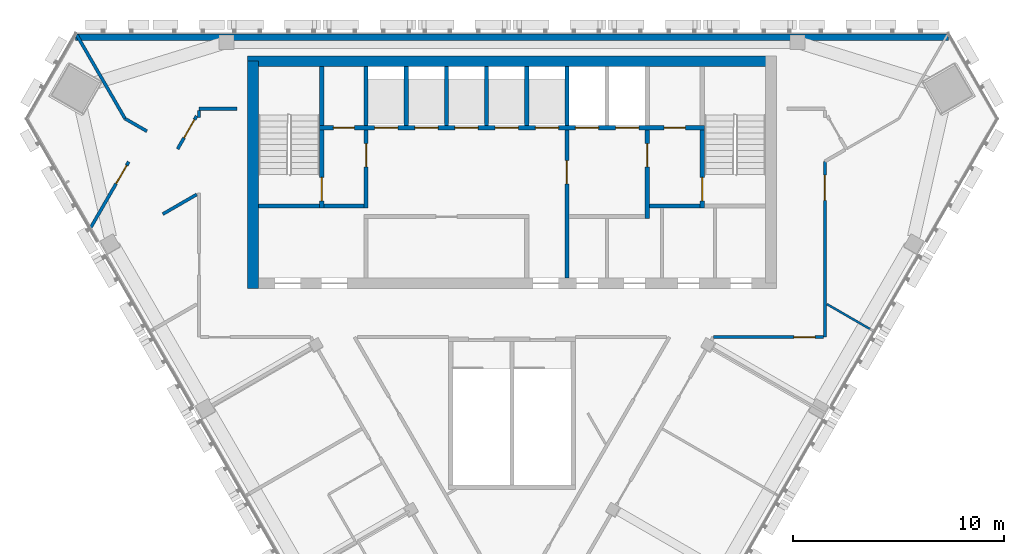
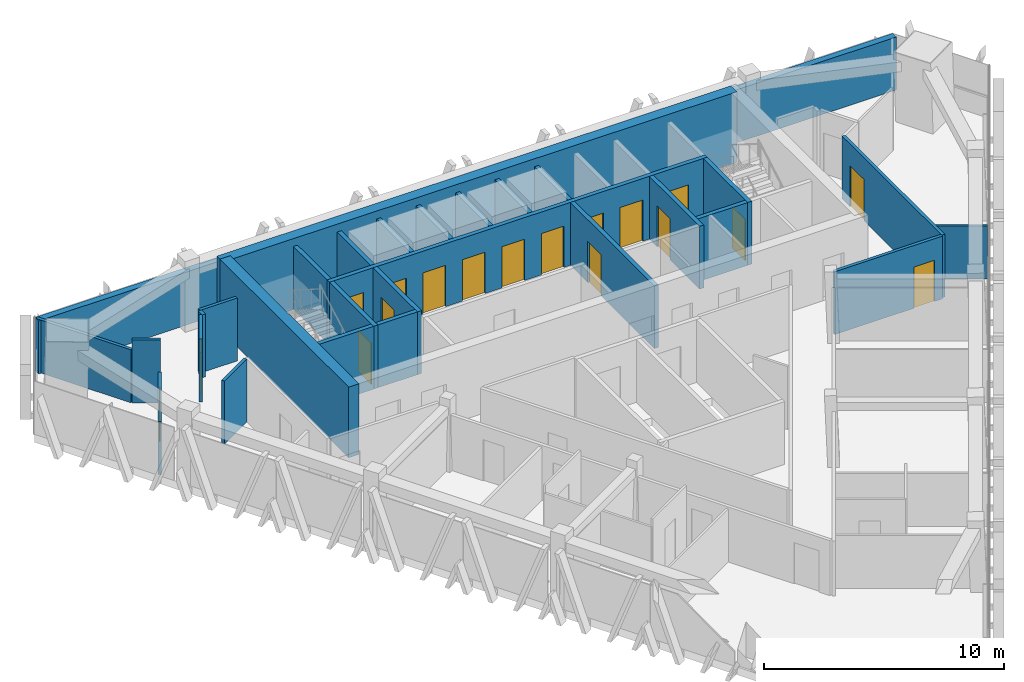
# One storey, part 9 of 12: 29 walls, 18 doors, 18 openings.
"""IFC4 building model written with IfcOpenShell, lengths in metres."""

import ifcopenshell
import ifcopenshell.guid

model = None  # the IFC model being written
_history = None  # IfcOwnerHistory: only IFC2X3 demands one
_inside = {}  # id of a spatial element -> (the spatial element, [elements in it])
_under = {}  # id of a project, library or spatial element -> (it, [spatial elements below it])
_declared = {}  # id of a project -> (the project, [libraries it declares])
_typed = {}  # id of a type object -> (the type object, [elements of that type])
_made_of = {}  # id of a material, layer set ... -> (it, [elements and type objects made of it])


def new_model(schema):
    """Start an empty IFC model of exactly this schema.

    Asked for "IFC4X3", IfcOpenShell would pick the latest addendum, in which some entities
    have other attributes; the version numbers below select the first issue.
    IFC2X3 requires an IfcOwnerHistory on every rooted entity: one is made here for all.
    """
    global model, _history
    if schema == "IFC4X3":
        model = ifcopenshell.file(schema_version=(4, 3, 0, 0))
    else:
        model = ifcopenshell.file(schema=schema)
    _inside.clear()
    _under.clear()
    _declared.clear()
    _typed.clear()
    _made_of.clear()
    _history = None
    if model.schema == "IFC2X3":
        org = make("IfcOrganization", Name="unknown")
        user = make(
            "IfcPersonAndOrganization",
            ThePerson=make("IfcPerson", FamilyName="unknown"),
            TheOrganization=org,
        )
        app = make(
            "IfcApplication",
            ApplicationDeveloper=org,
            Version="unknown",
            ApplicationFullName="unknown",
            ApplicationIdentifier="unknown",
        )
        _history = make(
            "IfcOwnerHistory",
            OwningUser=user,
            OwningApplication=app,
            ChangeAction="ADDED",
            CreationDate=0,
        )
    return model


def make(cls, **values):
    """One entity of the class cls with the attributes given. An attribute that is None is left unset."""
    return model.create_entity(
        cls, **{name: value for name, value in values.items() if value is not None}
    )


def rooted(cls, **values):
    """An entity with a GlobalId (a new one), such as an element, a storey or a relation."""
    return make(cls, GlobalId=ifcopenshell.guid.new(), OwnerHistory=_history, **values)


def si_unit(unit_type, name, prefix=None):
    """IfcSIUnit, for example si_unit("LENGTHUNIT", "METRE", prefix="MILLI")."""
    return make("IfcSIUnit", UnitType=unit_type, Prefix=prefix, Name=name)


def assignment(units):
    """IfcUnitAssignment: the units of a project."""
    return None if units is None else make("IfcUnitAssignment", Units=units)


def point(xyz):
    """IfcCartesianPoint."""
    return None if xyz is None else make("IfcCartesianPoint", Coordinates=xyz)


def direction(xyz):
    """IfcDirection."""
    return None if xyz is None else make("IfcDirection", DirectionRatios=xyz)


def frame(location, z_axis=None, x_axis=None):
    """IfcAxis2Placement3D, a coordinate frame: its origin and axes. An axis left out is left unset."""
    return make(
        "IfcAxis2Placement3D",
        Location=point(location),
        Axis=direction(z_axis),
        RefDirection=direction(x_axis),
    )


def frame_2d(location, x_axis=None):
    """IfcAxis2Placement2D, a coordinate frame in the plane: its origin and x axis."""
    return make(
        "IfcAxis2Placement2D", Location=point(location), RefDirection=direction(x_axis)
    )


def origin():
    """The frame at (0, 0, 0) with its axes left unset."""
    return frame((0.0, 0.0, 0.0))


def place(relative_to, where):
    """IfcLocalPlacement: puts the frame where relative to a parent placement (None: the world)."""
    return make(
        "IfcLocalPlacement", PlacementRelTo=relative_to, RelativePlacement=where
    )


def context(
    kind, dimensions, precision=None, world=None, true_north=None, identifier=None
):
    """IfcGeometricRepresentationContext, for example the 3D "Model" context."""
    return make(
        "IfcGeometricRepresentationContext",
        ContextIdentifier=identifier,
        ContextType=kind,
        CoordinateSpaceDimension=dimensions,
        Precision=precision,
        WorldCoordinateSystem=world,
        TrueNorth=true_north,
    )


def subcontext(parent, identifier, kind, view, scale=None):
    """IfcGeometricRepresentationSubContext, for example "Body" below "Model"."""
    return make(
        "IfcGeometricRepresentationSubContext",
        ContextIdentifier=identifier,
        ContextType=kind,
        ParentContext=parent,
        TargetScale=scale,
        TargetView=view,
    )


def project(units=None, contexts=None):
    """IfcProject with its units and contexts."""
    return rooted(
        "IfcProject",
        Name="project",
        RepresentationContexts=contexts,
        UnitsInContext=assignment(units),
    )


def spatial(cls, under=None, at=None, **own):
    """A site, building, storey or space (cls), placed at a placement, below another one or the project."""
    s = rooted(cls, ObjectPlacement=at, **own)
    if under is not None:
        _under.setdefault(under.id(), (under, []))[1].append(s)
    return s


def profile(cls, at=None, kind="AREA", **sizes):
    """A parametric profile (cls). Its sizes go by their IFC names, for example OverallWidth=200.0."""
    return make(cls, ProfileType=kind, Position=at, **sizes)


def rectangle(**sizes):
    """IfcRectangleProfileDef."""
    return profile("IfcRectangleProfileDef", **sizes)


def extrude(swept, where, along, depth):
    """IfcExtrudedAreaSolid: the profile swept, set in the frame where, extruded along a direction by depth."""
    return make(
        "IfcExtrudedAreaSolid",
        SweptArea=swept,
        Position=where,
        ExtrudedDirection=direction(along),
        Depth=depth,
    )


def shape(context_of_items, identifier, shape_type, items):
    """IfcShapeRepresentation: the items that make up one representation, for example the "Body"."""
    return make(
        "IfcShapeRepresentation",
        ContextOfItems=context_of_items,
        RepresentationIdentifier=identifier,
        RepresentationType=shape_type,
        Items=items,
    )


def material(Name=None, Category=None):
    """IfcMaterial."""
    return make("IfcMaterial", Name=Name, Category=Category)


def layer(
    of_material, thickness, ventilated=None, Name=None, Category=None, Priority=None
):
    """IfcMaterialLayer: one layer of a wall or slab, of a material (None: an air gap)."""
    return make(
        "IfcMaterialLayer",
        Material=of_material,
        LayerThickness=thickness,
        IsVentilated=ventilated,
        Name=Name,
        Category=Category,
        Priority=Priority,
    )


def layer_set(layers, Name=None):
    """IfcMaterialLayerSet."""
    return make("IfcMaterialLayerSet", MaterialLayers=layers, LayerSetName=Name)


def made_of(thing, what):
    """Note that an element or type object is made of a material, layer set ...; save() writes the relation."""
    if what is not None:
        _made_of.setdefault(what.id(), (what, []))[1].append(thing)
    return thing


def type_object(cls, material=None, **own):
    """A type object (cls), such as IfcWallType, which elements share."""
    return made_of(rooted(cls, **own), material)


def element(
    cls,
    number,
    at=None,
    inside=None,
    cuts=None,
    type_object=None,
    material=None,
    context=None,
    identifier="Body",
    shape_type=None,
    held_by="IfcProductDefinitionShape",
    body=None,
    shapes=None,
    **own,
):
    """One element of the class cls, such as IfcWall. Its Tag is "e" and its number.

    at: its placement. inside: the storey or other place that contains it. cuts: it is an
    opening in that element (IfcRelVoidsElement). A single representation is given by context,
    identifier, shape_type and body (its items); several are given by shapes. held_by: the class
    of the entity that holds the representations. save() writes the other relations.
    """
    e = rooted(cls, Tag="e%d" % number, ObjectPlacement=at, **own)
    if body is not None:
        shapes = [shape(context, identifier, shape_type, body)]
    if shapes is not None:
        e.Representation = make(held_by, Representations=shapes)
    if inside is not None:
        _inside.setdefault(inside.id(), (inside, []))[1].append(e)
    if cuts is not None:
        rooted(
            "IfcRelVoidsElement", RelatingBuildingElement=cuts, RelatedOpeningElement=e
        )
    if type_object is not None:
        _typed.setdefault(type_object.id(), (type_object, []))[1].append(e)
    return made_of(e, material)


def fill(opening, filler):
    """IfcRelFillsElement: the door or window that sits in an opening."""
    return rooted(
        "IfcRelFillsElement",
        RelatingOpeningElement=opening,
        RelatedBuildingElement=filler,
    )


def aggregate(whole, parts):
    """IfcRelAggregates: a whole, such as a stair, and the parts it consists of."""
    return rooted("IfcRelAggregates", RelatingObject=whole, RelatedObjects=parts)


def save(model, path):
    """Write the relations noted so far, then the file.

    IfcRelAggregates (storeys below a building ...), IfcRelContainedInSpatialStructure (elements
    in a storey), IfcRelDefinesByType, IfcRelAssociatesMaterial and IfcRelDeclares: one each for
    every whole, place, type object, material and project.
    """
    for whole, parts in _under.values():
        aggregate(whole, parts)
    for where, things in _inside.values():
        rooted(
            "IfcRelContainedInSpatialStructure",
            RelatedElements=things,
            RelatingStructure=where,
        )
    for kind, things in _typed.values():
        rooted("IfcRelDefinesByType", RelatedObjects=things, RelatingType=kind)
    for what, things in _made_of.values():
        rooted("IfcRelAssociatesMaterial", RelatedObjects=things, RelatingMaterial=what)
    for by, libraries in _declared.values():
        rooted("IfcRelDeclares", RelatingContext=by, RelatedDefinitions=libraries)
    model.write(path)


model = new_model("IFC4")

# Units and contexts
model_context = context("Model", 3, precision=1e-05, world=origin(), true_north=direction((0.0, 1.0)))
body_context = subcontext(model_context, "Body", "Model", "MODEL_VIEW")
ifc_project = project(units=[si_unit("LENGTHUNIT", "METRE"), si_unit("AREAUNIT", "SQUARE_METRE"), si_unit("VOLUMEUNIT", "CUBIC_METRE"), si_unit("PLANEANGLEUNIT", "RADIAN"), si_unit("MASSUNIT", "GRAM", prefix="KILO")], contexts=[model_context])

# Site, building, storey
site_placement = place(None, origin())
site = spatial("IfcSite", under=ifc_project, at=site_placement, CompositionType="ELEMENT")
building_placement = place(site_placement, origin())
building = spatial("IfcBuilding", under=site, at=building_placement, Name="Altiplano Prism Tower", CompositionType="ELEMENT")
storey_placement = place(building_placement, frame((0.0, 0.0, 275.199951171875)))
storey = spatial("IfcBuildingStorey", under=building, at=storey_placement, Name="L71", CompositionType="ELEMENT", Elevation=275.199951171875)

# Walls
ifc_material_1 = material(Name="Concrete C60/75", Category="concrete")
ifc_layer_1 = layer(ifc_material_1, 0.5)
ifc_layer_set_1 = layer_set([ifc_layer_1], Name="Concrete C60/75")
wall_type_1 = type_object("IfcWallType", Name="Core wall 500", PredefinedType="SHEAR", material=ifc_layer_set_1)
wall_1_placement = place(storey_placement, frame((97.25, 103.64990234375, 0.0), z_axis=(0.0, 0.0, 1.0), x_axis=(-1.0, 0.0, 0.0)))
element("IfcWall", 1, at=wall_1_placement, inside=storey, type_object=wall_type_1, Name="Core wall N L71", PredefinedType="SHEAR", context=body_context, shape_type="SweptSolid", body=[
    extrude(rectangle(XDim=24.75, YDim=0.5, at=frame_2d((12.375, 0.0))), origin(), (0.0, 0.0, 1.0), 3.60009765625),
])
wall_2_placement = place(storey_placement, frame((72.75, 103.64990234375, 0.0), z_axis=(0.0, 0.0, 1.0), x_axis=(0.0, -1.0, 0.0)))
element("IfcWall", 2, at=wall_2_placement, inside=storey, type_object=wall_type_1, Name="Core wall W L71", PredefinedType="SHEAR", context=body_context, shape_type="SweptSolid", body=[
    extrude(rectangle(XDim=10.75, YDim=0.5, at=frame_2d((5.375, 0.0))), origin(), (0.0, 0.0, 1.0), 3.60009765625),
])
ifc_material_2 = material(Name="Plasterboard on steel stud", Category="steel")
ifc_layer_2 = layer(ifc_material_2, 0.10009765625)
ifc_layer_set_2 = layer_set([ifc_layer_2], Name="Plasterboard on steel stud")
wall_type_2 = type_object("IfcWallType", Name="Partition 100 wet", PredefinedType="PARTITIONING", material=ifc_layer_set_2)
wall_3_placement = place(storey_placement, frame((102.1025390625, 90.88623046875, 0.0), z_axis=(0.0, 0.0, 1.0), x_axis=(-0.866060904967, 0.499938505106, 0.0)))
element("IfcWall", 3, at=wall_3_placement, inside=storey, type_object=wall_type_2, Name="Partition P03 L71 040", PredefinedType="PARTITIONING", context=body_context, shape_type="SweptSolid", body=[
    extrude(rectangle(XDim=2.543212890625, YDim=0.10009765625, at=frame_2d((1.271484375, 0.0))), origin(), (0.0, 0.0, 1.0), 2.699951171875),
])

# Wall, opening, door
ifc_layer_3 = layer(ifc_material_2, 0.14990234375)
ifc_layer_set_3 = layer_set([ifc_layer_3], Name="Plasterboard on steel stud")
wall_type_3 = type_object("IfcWallType", Name="Partition 150 corridor", PredefinedType="PARTITIONING", material=ifc_layer_set_3)
wall_4_placement = place(storey_placement, frame((66.87060546875, 98.89501953125, 0.0), z_axis=(0.0, 0.0, 1.0), x_axis=(-0.499994217234, -0.86602874244, 0.0)))
wall_4 = element("IfcWall", 4, at=wall_4_placement, inside=storey, type_object=wall_type_3, Name="Partition P06 L71 005", PredefinedType="PARTITIONING", context=body_context, shape_type="SweptSolid", body=[
    extrude(rectangle(XDim=3.60302734375, YDim=0.14990234375, at=frame_2d((1.801513671875, 0.0))), origin(), (0.0, 0.0, 1.0), 2.699951171875),
])
opening_1_placement = place(wall_4_placement, frame((0.199951171875, 0.0, 0.0)))
opening_1 = element("IfcOpeningElement", 5, at=opening_1_placement, cuts=wall_4, Name="Opening D2230", PredefinedType="OPENING", context=body_context, shape_type="SweptSolid", body=[
    extrude(rectangle(XDim=1.0, YDim=2.10009765625, at=frame_2d((0.5, 1.050048828125))), frame((0.0, 0.08544921875, 0.0), z_axis=(0.0, -1.0, 0.0), x_axis=(1.0, 0.0, 0.0)), (0.0, 0.0, 1.0), 0.1708984375),
])
ifc_material_3 = material(Name="Timber", Category="wood")
door_type_1 = type_object("IfcDoorType", Name="Room door 1000 x 2100", OperationType="NOTDEFINED", PredefinedType="NOTDEFINED", material=ifc_material_3)
door_1_placement = place(opening_1_placement, origin())
door_1 = element("IfcDoor", 6, at=door_1_placement, inside=storey, type_object=door_type_1, Name="Door D2230", OperationType="SINGLE_SWING_RIGHT", OverallHeight=2.10009765625, OverallWidth=1.0, PredefinedType="NOTDEFINED", context=body_context, shape_type="SweptSolid", body=[
    extrude(rectangle(XDim=1.0, YDim=2.10009765625, at=frame_2d((0.5, 1.050048828125))), frame((0.0, 0.02490234375, 0.0), z_axis=(0.0, -1.0, 0.0), x_axis=(1.0, 0.0, 0.0)), (0.0, 0.0, 1.0), 0.050048828125),
])
fill(opening_1, door_1)

# Wall
wall_5_placement = place(storey_placement, frame((68.482666015625, 96.420166015625, 0.0), z_axis=(0.0, 0.0, 1.0), x_axis=(0.866021029023, 0.500007577232, 0.0)))
element("IfcWall", 7, at=wall_5_placement, inside=storey, type_object=wall_type_3, Name="Partition P06 L71 006", PredefinedType="PARTITIONING", context=body_context, shape_type="SweptSolid", body=[
    extrude(rectangle(XDim=1.85302734375, YDim=0.14990234375, at=frame_2d((0.926513671875, 0.0))), origin(), (0.0, 0.0, 1.0), 3.199951171875),
])

# Wall, opening, door
wall_6_placement = place(storey_placement, frame((94.52392578125, 90.60009765625, 0.0), z_axis=(0.0, 0.0, 1.0), x_axis=(1.0, 0.0, 0.0)))
wall_6 = element("IfcWall", 8, at=wall_6_placement, inside=storey, type_object=wall_type_3, Name="Partition P06 L71 011", PredefinedType="PARTITIONING", context=body_context, shape_type="SweptSolid", body=[
    extrude(rectangle(XDim=5.201171875, YDim=0.14990234375, at=frame_2d((2.6005859375, 0.0))), origin(), (0.0, 0.0, 1.0), 3.199951171875),
])
opening_2_placement = place(wall_6_placement, frame((3.81201171875, 0.0, 0.0)))
opening_2 = element("IfcOpeningElement", 9, at=opening_2_placement, cuts=wall_6, Name="Opening D2243", PredefinedType="OPENING", context=body_context, shape_type="SweptSolid", body=[
    extrude(rectangle(XDim=1.0, YDim=2.10009765625, at=frame_2d((0.5, 1.050048828125))), frame((0.0, 0.08544921875, 0.0), z_axis=(0.0, -1.0, 0.0), x_axis=(1.0, 0.0, 0.0)), (0.0, 0.0, 1.0), 0.1708984375),
])
door_2_placement = place(opening_2_placement, origin())
door_2 = element("IfcDoor", 10, at=door_2_placement, inside=storey, type_object=door_type_1, Name="Door D2243", OperationType="SINGLE_SWING_LEFT", OverallHeight=2.10009765625, OverallWidth=1.0, PredefinedType="NOTDEFINED", context=body_context, shape_type="SweptSolid", body=[
    extrude(rectangle(XDim=1.0, YDim=2.10009765625, at=frame_2d((0.5, 1.050048828125))), frame((0.0, 0.02490234375, 0.0), z_axis=(0.0, -1.0, 0.0), x_axis=(1.0, 0.0, 0.0)), (0.0, 0.0, 1.0), 0.050048828125),
])
fill(opening_2, door_2)

wall_7_placement = place(storey_placement, frame((99.800048828125, 90.60009765625, 0.0), z_axis=(0.0, 0.0, 1.0), x_axis=(0.0, 1.0, 0.0)))
wall_7 = element("IfcWall", 11, at=wall_7_placement, inside=storey, type_object=wall_type_3, Name="Partition P06 L71 012", PredefinedType="PARTITIONING", context=body_context, shape_type="SweptSolid", body=[
    extrude(rectangle(XDim=8.312744140625, YDim=0.14990234375, at=frame_2d((4.15625, 0.0))), origin(), (0.0, 0.0, 1.0), 3.199951171875),
])
opening_3_placement = place(wall_7_placement, frame((6.466064453125, 0.0, 0.0)))
opening_3 = element("IfcOpeningElement", 12, at=opening_3_placement, cuts=wall_7, Name="Opening D2244", PredefinedType="OPENING", context=body_context, shape_type="SweptSolid", body=[
    extrude(rectangle(XDim=1.199951171875, YDim=2.10009765625, at=frame_2d((0.60009765625, 1.050048828125))), frame((0.0, 0.08544921875, 0.0), z_axis=(0.0, -1.0, 0.0), x_axis=(1.0, 0.0, 0.0)), (0.0, 0.0, 1.0), 0.1708984375),
])
door_type_2 = type_object("IfcDoorType", Name="Shared room door 1200 x 2100", OperationType="NOTDEFINED", PredefinedType="NOTDEFINED", material=ifc_material_3)
door_3_placement = place(opening_3_placement, origin())
door_3 = element("IfcDoor", 13, at=door_3_placement, inside=storey, type_object=door_type_2, Name="Door D2244", OperationType="SINGLE_SWING_RIGHT", OverallHeight=2.10009765625, OverallWidth=1.199951171875, PredefinedType="NOTDEFINED", context=body_context, shape_type="SweptSolid", body=[
    extrude(rectangle(XDim=1.199951171875, YDim=2.10009765625, at=frame_2d((0.60009765625, 1.050048828125))), frame((0.0, 0.02490234375, 0.0), z_axis=(0.0, -1.0, 0.0), x_axis=(1.0, 0.0, 0.0)), (0.0, 0.0, 1.0), 0.050048828125),
])
fill(opening_3, door_3)

# Walls
wall_8_placement = place(storey_placement, frame((72.0, 101.39990234375, 0.0), z_axis=(0.0, 0.0, 1.0), x_axis=(-1.0, 0.0, 0.0)))
element("IfcWall", 14, at=wall_8_placement, inside=storey, type_object=wall_type_3, Name="Partition P06 L71 014", PredefinedType="PARTITIONING", context=body_context, shape_type="SweptSolid", body=[
    extrude(rectangle(XDim=1.800048828125, YDim=0.14990234375, at=frame_2d((0.89990234375, 0.0))), origin(), (0.0, 0.0, 1.0), 3.199951171875),
])
wall_9_placement = place(storey_placement, frame((70.19970703125, 101.324951171875, 0.0), z_axis=(0.0, 0.0, 1.0), x_axis=(-0.002205876986, -0.99999756705, 0.0)))
element("IfcWall", 15, at=wall_9_placement, inside=storey, type_object=wall_type_3, Name="Partition P06 L71 015", PredefinedType="PARTITIONING", context=body_context, shape_type="SweptSolid", body=[
    extrude(rectangle(XDim=0.33203125, YDim=0.14990234375, at=frame_2d((0.166015625, 0.0))), origin(), (0.0, 0.0, 1.0), 3.199951171875),
])

# Wall, opening, door
wall_10_placement = place(storey_placement, frame((70.08349609375, 101.059814453125, 0.0), z_axis=(0.0, 0.0, 1.0), x_axis=(-0.500031425827, -0.866007259314, 0.0)))
wall_10 = element("IfcWall", 16, at=wall_10_placement, inside=storey, type_object=wall_type_3, Name="Partition P06 L71 016", PredefinedType="PARTITIONING", context=body_context, shape_type="SweptSolid", body=[
    extrude(rectangle(XDim=1.80126953125, YDim=0.14990234375, at=frame_2d((0.900634765625, 0.0))), origin(), (0.0, 0.0, 1.0), 3.199951171875),
])
opening_4_placement = place(wall_10_placement, frame((0.199951171875, 0.0, 0.0)))
opening_4 = element("IfcOpeningElement", 17, at=opening_4_placement, cuts=wall_10, Name="Opening D2245", PredefinedType="OPENING", context=body_context, shape_type="SweptSolid", body=[
    extrude(rectangle(XDim=1.0, YDim=2.10009765625, at=frame_2d((0.5, 1.050048828125))), frame((0.0, 0.08544921875, 0.0), z_axis=(0.0, -1.0, 0.0), x_axis=(1.0, 0.0, 0.0)), (0.0, 0.0, 1.0), 0.1708984375),
])
door_type_3 = type_object("IfcDoorType", Name="Store door 1000 x 2100", OperationType="NOTDEFINED", PredefinedType="NOTDEFINED", material=ifc_material_3)
door_4_placement = place(opening_4_placement, origin())
door_4 = element("IfcDoor", 18, at=door_4_placement, inside=storey, type_object=door_type_3, Name="Door D2245", OperationType="SINGLE_SWING_RIGHT", OverallHeight=2.10009765625, OverallWidth=1.0, PredefinedType="NOTDEFINED", context=body_context, shape_type="SweptSolid", body=[
    extrude(rectangle(XDim=1.0, YDim=2.10009765625, at=frame_2d((0.5, 1.050048828125))), frame((0.0, 0.02490234375, 0.0), z_axis=(0.0, -1.0, 0.0), x_axis=(1.0, 0.0, 0.0)), (0.0, 0.0, 1.0), 0.050048828125),
])
fill(opening_4, door_4)

# Walls
ifc_layer_4 = layer(ifc_material_2, 0.14990234375)
ifc_layer_set_4 = layer_set([ifc_layer_4], Name="Plasterboard on steel stud")
wall_type_4 = type_object("IfcWallType", Name="Partition 150 party", PredefinedType="PARTITIONING", material=ifc_layer_set_4)
wall_11_placement = place(storey_placement, frame((67.72802734375, 100.340087890625, 0.0), z_axis=(0.0, 0.0, 1.0), x_axis=(-0.866052464367, 0.499953126767, 0.0)))
element("IfcWall", 19, at=wall_11_placement, inside=storey, type_object=wall_type_4, Name="Partition P01 L71 022", PredefinedType="PARTITIONING", context=body_context, shape_type="SweptSolid", body=[
    extrude(rectangle(XDim=1.19091796875, YDim=0.14990234375, at=frame_2d((0.595458984375, 0.0))), origin(), (0.0, 0.0, 1.0), 3.199951171875),
])
wall_12_placement = place(storey_placement, frame((66.696533203125, 100.935546875, 0.0), z_axis=(0.0, 0.0, 1.0), x_axis=(-0.499999453156, 0.866025719504, 0.0)))
element("IfcWall", 20, at=wall_12_placement, inside=storey, type_object=wall_type_4, Name="Partition P01 L71 023", PredefinedType="PARTITIONING", context=body_context, shape_type="SweptSolid", body=[
    extrude(rectangle(XDim=4.57763671875, YDim=0.14990234375, at=frame_2d((2.288818359375, 0.0))), origin(), (0.0, 0.0, 1.0), 2.699951171875),
])
ifc_layer_5 = layer(ifc_material_1, 0.199951171875)
ifc_layer_set_5 = layer_set([ifc_layer_5], Name="Concrete C60/75")
wall_type_5 = type_object("IfcWallType", Name="Shaft wall 200", PredefinedType="SOLIDWALL", material=ifc_layer_set_5)
for number, where, z_axis, x_axis, name in (
    (21, (78.10009765625, 100.60009765625, 0.0), (0.0, 0.0, 1.0), (0.0, 1.0, 0.0), "Shaft wall L71"),
    (22, (80.0, 100.60009765625, 0.0), (0.0, 0.0, 1.0), (0.0, 1.0, 0.0), "Shaft wall L71"),
    (23, (81.89990234375, 100.60009765625, 0.0), (0.0, 0.0, 1.0), (0.0, 1.0, 0.0), "Shaft wall L71"),
    (24, (83.800048828125, 100.60009765625, 0.0), (0.0, 0.0, 1.0), (0.0, 1.0, 0.0), "Shaft wall L71"),
    (25, (85.699951171875, 100.60009765625, 0.0), (0.0, 0.0, 1.0), (0.0, 1.0, 0.0), "Shaft wall L71"),
    (26, (87.60009765625, 100.60009765625, 0.0), (0.0, 0.0, 1.0), (0.0, 1.0, 0.0), "Shaft wall L71"),
):
    element("IfcWall", number, at=place(storey_placement, frame(where, z_axis=z_axis, x_axis=x_axis)), inside=storey, type_object=wall_type_5, Name=name, PredefinedType="SOLIDWALL", context=body_context, shape_type="SweptSolid", body=[
        extrude(rectangle(XDim=2.7998046875, YDim=0.199951171875, at=frame_2d((1.39990234375, 0.0))), origin(), (0.0, 0.0, 1.0), 3.199951171875),
    ])
ifc_layer_6 = layer(ifc_material_1, 0.199951171875)
ifc_layer_set_6 = layer_set([ifc_layer_6], Name="Concrete C60/75")
wall_type_6 = type_object("IfcWallType", Name="Stair wall 200", PredefinedType="SOLIDWALL", material=ifc_layer_set_6)
wall_13_placement = place(storey_placement, frame((73.0, 96.800048828125, 0.0), z_axis=(0.0, 0.0, 1.0), x_axis=(1.0, 0.0, 0.0)))
element("IfcWall", 27, at=wall_13_placement, inside=storey, type_object=wall_type_6, Name="Stair wall L71", PredefinedType="SOLIDWALL", context=body_context, shape_type="SweptSolid", body=[
    extrude(rectangle(XDim=2.89990234375, YDim=0.199951171875, at=frame_2d((1.449951171875, 0.0))), origin(), (0.0, 0.0, 1.0), 3.199951171875),
])

# Wall, opening, door
wall_14_placement = place(storey_placement, frame((76.0, 96.699951171875, 0.0), z_axis=(0.0, 0.0, 1.0), x_axis=(0.0, 1.0, 0.0)))
wall_14 = element("IfcWall", 28, at=wall_14_placement, inside=storey, type_object=wall_type_6, Name="Stair wall L71", PredefinedType="SOLIDWALL", context=body_context, shape_type="SweptSolid", body=[
    extrude(rectangle(XDim=3.699951171875, YDim=0.199951171875, at=frame_2d((1.85009765625, 0.0))), origin(), (0.0, 0.0, 1.0), 3.199951171875),
])
opening_5_placement = place(wall_14_placement, frame((0.35009765625, 0.0, 0.0)))
opening_5 = element("IfcOpeningElement", 29, at=opening_5_placement, cuts=wall_14, Name="Opening D3577", PredefinedType="OPENING", context=body_context, shape_type="SweptSolid", body=[
    extrude(rectangle(XDim=1.10009765625, YDim=2.10009765625, at=frame_2d((0.550048828125, 1.050048828125))), frame((0.0, 0.1103515625, 0.0), z_axis=(0.0, -1.0, 0.0), x_axis=(1.0, 0.0, 0.0)), (0.0, 0.0, 1.0), 0.220947265625),
])
ifc_material_4 = material(Name="Fire-rated steel door", Category="steel")
door_type_4 = type_object("IfcDoorType", Name="Stair fire door 1100 x 2100", OperationType="NOTDEFINED", PredefinedType="NOTDEFINED", material=ifc_material_4)
door_5_placement = place(opening_5_placement, origin())
door_5 = element("IfcDoor", 30, at=door_5_placement, inside=storey, type_object=door_type_4, Name="Stair fire door D3577", OperationType="SINGLE_SWING_RIGHT", OverallHeight=2.10009765625, OverallWidth=1.10009765625, PredefinedType="NOTDEFINED", context=body_context, shape_type="SweptSolid", body=[
    extrude(rectangle(XDim=1.10009765625, YDim=2.10009765625, at=frame_2d((0.550048828125, 1.050048828125))), frame((0.0, 0.02490234375, 0.0), z_axis=(0.0, -1.0, 0.0), x_axis=(1.0, 0.0, 0.0)), (0.0, 0.0, 1.0), 0.050048828125),
])
fill(opening_5, door_5)

wall_15_placement = place(storey_placement, frame((94.0, 96.699951171875, 0.0), z_axis=(0.0, 0.0, 1.0), x_axis=(0.0, 1.0, 0.0)))
wall_15 = element("IfcWall", 31, at=wall_15_placement, inside=storey, type_object=wall_type_6, Name="Stair wall L71", PredefinedType="SOLIDWALL", context=body_context, shape_type="SweptSolid", body=[
    extrude(rectangle(XDim=3.699951171875, YDim=0.199951171875, at=frame_2d((1.85009765625, 0.0))), origin(), (0.0, 0.0, 1.0), 3.199951171875),
])
opening_6_placement = place(wall_15_placement, frame((0.35009765625, 0.0, 0.0)))
opening_6 = element("IfcOpeningElement", 32, at=opening_6_placement, cuts=wall_15, Name="Opening D3578", PredefinedType="OPENING", context=body_context, shape_type="SweptSolid", body=[
    extrude(rectangle(XDim=1.10009765625, YDim=2.10009765625, at=frame_2d((0.550048828125, 1.050048828125))), frame((0.0, 0.1103515625, 0.0), z_axis=(0.0, -1.0, 0.0), x_axis=(1.0, 0.0, 0.0)), (0.0, 0.0, 1.0), 0.220947265625),
])
door_6_placement = place(opening_6_placement, origin())
door_6 = element("IfcDoor", 33, at=door_6_placement, inside=storey, type_object=door_type_4, Name="Stair fire door D3578", OperationType="SINGLE_SWING_LEFT", OverallHeight=2.10009765625, OverallWidth=1.10009765625, PredefinedType="NOTDEFINED", context=body_context, shape_type="SweptSolid", body=[
    extrude(rectangle(XDim=1.10009765625, YDim=2.10009765625, at=frame_2d((0.550048828125, 1.050048828125))), frame((0.0, 0.02490234375, 0.0), z_axis=(0.0, -1.0, 0.0), x_axis=(1.0, 0.0, 0.0)), (0.0, 0.0, 1.0), 0.050048828125),
])
fill(opening_6, door_6)

# Wall, openings, doors
wall_16_placement = place(storey_placement, frame((75.89990234375, 100.5, 0.0), z_axis=(0.0, 0.0, 1.0), x_axis=(1.0, 0.0, 0.0)))
wall_16 = element("IfcWall", 34, at=wall_16_placement, inside=storey, type_object=wall_type_6, Name="Stair wall L71", PredefinedType="SOLIDWALL", context=body_context, shape_type="SweptSolid", body=[
    extrude(rectangle(XDim=18.2001953125, YDim=0.199951171875, at=frame_2d((9.10009765625, 0.0))), origin(), (0.0, 0.0, 1.0), 3.199951171875),
])
opening_7_placement = place(wall_16_placement, frame((2.60009765625, 0.0, 0.0)))
opening_7 = element("IfcOpeningElement", 35, at=opening_7_placement, cuts=wall_16, Name="Opening LD-HL1-L71", PredefinedType="OPENING", context=body_context, shape_type="SweptSolid", body=[
    extrude(rectangle(XDim=1.10009765625, YDim=2.10009765625, at=frame_2d((0.550048828125, 1.050048828125))), frame((0.0, 0.1103515625, 0.0), z_axis=(0.0, -1.0, 0.0), x_axis=(1.0, 0.0, 0.0)), (0.0, 0.0, 1.0), 0.220947265625),
])
opening_8_placement = place(wall_16_placement, frame((4.5, 0.0, 0.0)))
opening_8 = element("IfcOpeningElement", 36, at=opening_8_placement, cuts=wall_16, Name="Opening LD-HL2-L71", PredefinedType="OPENING", context=body_context, shape_type="SweptSolid", body=[
    extrude(rectangle(XDim=1.10009765625, YDim=2.10009765625, at=frame_2d((0.550048828125, 1.050048828125))), frame((0.0, 0.1103515625, 0.0), z_axis=(0.0, -1.0, 0.0), x_axis=(1.0, 0.0, 0.0)), (0.0, 0.0, 1.0), 0.220947265625),
])
opening_9_placement = place(wall_16_placement, frame((6.39990234375, 0.0, 0.0)))
opening_9 = element("IfcOpeningElement", 37, at=opening_9_placement, cuts=wall_16, Name="Opening LD-HL3-L71", PredefinedType="OPENING", context=body_context, shape_type="SweptSolid", body=[
    extrude(rectangle(XDim=1.10009765625, YDim=2.10009765625, at=frame_2d((0.550048828125, 1.050048828125))), frame((0.0, 0.1103515625, 0.0), z_axis=(0.0, -1.0, 0.0), x_axis=(1.0, 0.0, 0.0)), (0.0, 0.0, 1.0), 0.220947265625),
])
opening_10_placement = place(wall_16_placement, frame((8.300048828125, 0.0, 0.0)))
opening_10 = element("IfcOpeningElement", 38, at=opening_10_placement, cuts=wall_16, Name="Opening LD-HL4-L71", PredefinedType="OPENING", context=body_context, shape_type="SweptSolid", body=[
    extrude(rectangle(XDim=1.10009765625, YDim=2.10009765625, at=frame_2d((0.550048828125, 1.050048828125))), frame((0.0, 0.1103515625, 0.0), z_axis=(0.0, -1.0, 0.0), x_axis=(1.0, 0.0, 0.0)), (0.0, 0.0, 1.0), 0.220947265625),
])
opening_11_placement = place(wall_16_placement, frame((10.199951171875, 0.0, 0.0)))
opening_11 = element("IfcOpeningElement", 39, at=opening_11_placement, cuts=wall_16, Name="Opening LD-HL5-L71", PredefinedType="OPENING", context=body_context, shape_type="SweptSolid", body=[
    extrude(rectangle(XDim=1.10009765625, YDim=2.10009765625, at=frame_2d((0.550048828125, 1.050048828125))), frame((0.0, 0.1103515625, 0.0), z_axis=(0.0, -1.0, 0.0), x_axis=(1.0, 0.0, 0.0)), (0.0, 0.0, 1.0), 0.220947265625),
])
opening_12_placement = place(wall_16_placement, frame((12.10009765625, 0.0, 0.0)))
opening_12 = element("IfcOpeningElement", 40, at=opening_12_placement, cuts=wall_16, Name="Opening LD-FF1-L71", PredefinedType="OPENING", context=body_context, shape_type="SweptSolid", body=[
    extrude(rectangle(XDim=1.10009765625, YDim=2.10009765625, at=frame_2d((0.550048828125, 1.050048828125))), frame((0.0, 0.1103515625, 0.0), z_axis=(0.0, -1.0, 0.0), x_axis=(1.0, 0.0, 0.0)), (0.0, 0.0, 1.0), 0.220947265625),
])
opening_13_placement = place(wall_16_placement, frame((14.0, 0.0, 0.0)))
opening_13 = element("IfcOpeningElement", 41, at=opening_13_placement, cuts=wall_16, Name="Opening LD-FF2-L71", PredefinedType="OPENING", context=body_context, shape_type="SweptSolid", body=[
    extrude(rectangle(XDim=1.10009765625, YDim=2.10009765625, at=frame_2d((0.550048828125, 1.050048828125))), frame((0.0, 0.1103515625, 0.0), z_axis=(0.0, -1.0, 0.0), x_axis=(1.0, 0.0, 0.0)), (0.0, 0.0, 1.0), 0.220947265625),
])
opening_14_placement = place(wall_16_placement, frame((0.64990234375, 0.0, 0.0)))
opening_14 = element("IfcOpeningElement", 42, at=opening_14_placement, cuts=wall_16, Name="Opening D3585", PredefinedType="OPENING", context=body_context, shape_type="SweptSolid", body=[
    extrude(rectangle(XDim=1.0, YDim=2.10009765625, at=frame_2d((0.5, 1.050048828125))), frame((0.0, 0.1103515625, 0.0), z_axis=(0.0, -1.0, 0.0), x_axis=(1.0, 0.0, 0.0)), (0.0, 0.0, 1.0), 0.220947265625),
])
opening_15_placement = place(wall_16_placement, frame((16.300048828125, 0.0, 0.0)))
opening_15 = element("IfcOpeningElement", 43, at=opening_15_placement, cuts=wall_16, Name="Opening D3586", PredefinedType="OPENING", context=body_context, shape_type="SweptSolid", body=[
    extrude(rectangle(XDim=1.0, YDim=2.10009765625, at=frame_2d((0.5, 1.050048828125))), frame((0.0, 0.1103515625, 0.0), z_axis=(0.0, -1.0, 0.0), x_axis=(1.0, 0.0, 0.0)), (0.0, 0.0, 1.0), 0.220947265625),
])
door_type_5 = type_object("IfcDoorType", Name="Core room door 1000 x 2100", OperationType="NOTDEFINED", PredefinedType="NOTDEFINED", material=ifc_material_4)
door_7_placement = place(opening_14_placement, origin())
door_7 = element("IfcDoor", 44, at=door_7_placement, inside=storey, type_object=door_type_5, Name="Core room door D3585", OperationType="SINGLE_SWING_LEFT", OverallHeight=2.10009765625, OverallWidth=1.0, PredefinedType="NOTDEFINED", context=body_context, shape_type="SweptSolid", body=[
    extrude(rectangle(XDim=1.0, YDim=2.10009765625, at=frame_2d((0.5, 1.050048828125))), frame((0.0, 0.02490234375, 0.0), z_axis=(0.0, -1.0, 0.0), x_axis=(1.0, 0.0, 0.0)), (0.0, 0.0, 1.0), 0.050048828125),
])
fill(opening_14, door_7)
door_8_placement = place(opening_15_placement, origin())
door_8 = element("IfcDoor", 45, at=door_8_placement, inside=storey, type_object=door_type_5, Name="Core room door D3586", OperationType="SINGLE_SWING_RIGHT", OverallHeight=2.10009765625, OverallWidth=1.0, PredefinedType="NOTDEFINED", context=body_context, shape_type="SweptSolid", body=[
    extrude(rectangle(XDim=1.0, YDim=2.10009765625, at=frame_2d((0.5, 1.050048828125))), frame((0.0, 0.02490234375, 0.0), z_axis=(0.0, -1.0, 0.0), x_axis=(1.0, 0.0, 0.0)), (0.0, 0.0, 1.0), 0.050048828125),
])
fill(opening_15, door_8)
ifc_material_5 = material(Name="Stainless steel landing door", Category="steel")
door_type_6 = type_object("IfcDoorType", Name="Landing door 1100 x 2100", OperationType="NOTDEFINED", PredefinedType="NOTDEFINED", material=ifc_material_5)
door_9_placement = place(opening_7_placement, origin())
door_9 = element("IfcDoor", 46, at=door_9_placement, inside=storey, type_object=door_type_6, Name="Landing doors HL1", OperationType="SLIDING_TO_RIGHT", OverallHeight=2.10009765625, OverallWidth=1.10009765625, PredefinedType="NOTDEFINED", context=body_context, shape_type="SweptSolid", body=[
    extrude(rectangle(XDim=1.10009765625, YDim=2.10009765625, at=frame_2d((0.550048828125, 1.050048828125))), frame((0.0, 0.02490234375, 0.0), z_axis=(0.0, -1.0, 0.0), x_axis=(1.0, 0.0, 0.0)), (0.0, 0.0, 1.0), 0.050048828125),
])
fill(opening_7, door_9)
door_10_placement = place(opening_8_placement, origin())
door_10 = element("IfcDoor", 47, at=door_10_placement, inside=storey, type_object=door_type_6, Name="Landing doors HL2", OperationType="SLIDING_TO_LEFT", OverallHeight=2.10009765625, OverallWidth=1.10009765625, PredefinedType="NOTDEFINED", context=body_context, shape_type="SweptSolid", body=[
    extrude(rectangle(XDim=1.10009765625, YDim=2.10009765625, at=frame_2d((0.550048828125, 1.050048828125))), frame((0.0, 0.02490234375, 0.0), z_axis=(0.0, -1.0, 0.0), x_axis=(1.0, 0.0, 0.0)), (0.0, 0.0, 1.0), 0.050048828125),
])
fill(opening_8, door_10)
door_11_placement = place(opening_9_placement, origin())
door_11 = element("IfcDoor", 48, at=door_11_placement, inside=storey, type_object=door_type_6, Name="Landing doors HL3", OperationType="SLIDING_TO_RIGHT", OverallHeight=2.10009765625, OverallWidth=1.10009765625, PredefinedType="NOTDEFINED", context=body_context, shape_type="SweptSolid", body=[
    extrude(rectangle(XDim=1.10009765625, YDim=2.10009765625, at=frame_2d((0.550048828125, 1.050048828125))), frame((0.0, 0.02490234375, 0.0), z_axis=(0.0, -1.0, 0.0), x_axis=(1.0, 0.0, 0.0)), (0.0, 0.0, 1.0), 0.050048828125),
])
fill(opening_9, door_11)
door_12_placement = place(opening_10_placement, origin())
door_12 = element("IfcDoor", 49, at=door_12_placement, inside=storey, type_object=door_type_6, Name="Landing doors HL4", OperationType="SLIDING_TO_LEFT", OverallHeight=2.10009765625, OverallWidth=1.10009765625, PredefinedType="NOTDEFINED", context=body_context, shape_type="SweptSolid", body=[
    extrude(rectangle(XDim=1.10009765625, YDim=2.10009765625, at=frame_2d((0.550048828125, 1.050048828125))), frame((0.0, 0.02490234375, 0.0), z_axis=(0.0, -1.0, 0.0), x_axis=(1.0, 0.0, 0.0)), (0.0, 0.0, 1.0), 0.050048828125),
])
fill(opening_10, door_12)
door_13_placement = place(opening_11_placement, origin())
door_13 = element("IfcDoor", 50, at=door_13_placement, inside=storey, type_object=door_type_6, Name="Landing doors HL5", OperationType="SLIDING_TO_RIGHT", OverallHeight=2.10009765625, OverallWidth=1.10009765625, PredefinedType="NOTDEFINED", context=body_context, shape_type="SweptSolid", body=[
    extrude(rectangle(XDim=1.10009765625, YDim=2.10009765625, at=frame_2d((0.550048828125, 1.050048828125))), frame((0.0, 0.02490234375, 0.0), z_axis=(0.0, -1.0, 0.0), x_axis=(1.0, 0.0, 0.0)), (0.0, 0.0, 1.0), 0.050048828125),
])
fill(opening_11, door_13)
door_14_placement = place(opening_12_placement, origin())
door_14 = element("IfcDoor", 51, at=door_14_placement, inside=storey, type_object=door_type_6, Name="Landing doors FF1", OperationType="SLIDING_TO_RIGHT", OverallHeight=2.10009765625, OverallWidth=1.10009765625, PredefinedType="NOTDEFINED", context=body_context, shape_type="SweptSolid", body=[
    extrude(rectangle(XDim=1.10009765625, YDim=2.10009765625, at=frame_2d((0.550048828125, 1.050048828125))), frame((0.0, 0.02490234375, 0.0), z_axis=(0.0, -1.0, 0.0), x_axis=(1.0, 0.0, 0.0)), (0.0, 0.0, 1.0), 0.050048828125),
])
fill(opening_12, door_14)
door_15_placement = place(opening_13_placement, origin())
door_15 = element("IfcDoor", 52, at=door_15_placement, inside=storey, type_object=door_type_6, Name="Landing doors FF2", OperationType="SLIDING_TO_LEFT", OverallHeight=2.10009765625, OverallWidth=1.10009765625, PredefinedType="NOTDEFINED", context=body_context, shape_type="SweptSolid", body=[
    extrude(rectangle(XDim=1.10009765625, YDim=2.10009765625, at=frame_2d((0.550048828125, 1.050048828125))), frame((0.0, 0.02490234375, 0.0), z_axis=(0.0, -1.0, 0.0), x_axis=(1.0, 0.0, 0.0)), (0.0, 0.0, 1.0), 0.050048828125),
])
fill(opening_13, door_15)

# Walls
wall_17_placement = place(storey_placement, frame((76.0, 100.60009765625, 0.0), z_axis=(0.0, 0.0, 1.0), x_axis=(0.0, 1.0, 0.0)))
element("IfcWall", 53, at=wall_17_placement, inside=storey, type_object=wall_type_6, Name="Stair wall L71", PredefinedType="SOLIDWALL", context=body_context, shape_type="SweptSolid", body=[
    extrude(rectangle(XDim=2.7998046875, YDim=0.199951171875, at=frame_2d((1.39990234375, 0.0))), origin(), (0.0, 0.0, 1.0), 3.199951171875),
])
ifc_material_6 = material(Name="Concrete C40", Category="concrete")
ifc_layer_7 = layer(ifc_material_6, 0.300048828125)
ifc_layer_set_7 = layer_set([ifc_layer_7], Name="Concrete C40")
wall_type_7 = type_object("IfcWallType", Name="Stone-clad external wall 300", PredefinedType="SOLIDWALL", material=ifc_layer_set_7)
wall_18_placement = place(storey_placement, frame((64.349853515625, 104.7900390625, 0.0), z_axis=(0.0, 0.0, 1.0), x_axis=(1.0, 0.0, 0.0)))
element("IfcWall", 54, at=wall_18_placement, inside=storey, type_object=wall_type_7, Name="External wall north face L71", PredefinedType="SOLIDWALL", context=body_context, shape_type="SweptSolid", body=[
    extrude(rectangle(XDim=41.30029296875, YDim=0.300048828125, at=frame_2d((20.650146484375, 0.0))), origin(), (0.0, 0.0, 1.0), 2.699951171875),
])

# Wall, opening, door
ifc_layer_8 = layer(ifc_material_1, 0.199951171875)
ifc_layer_set_8 = layer_set([ifc_layer_8], Name="Concrete C60/75")
wall_type_8 = type_object("IfcWallType", Name="Vestibule wall 200", PredefinedType="PARTITIONING", material=ifc_layer_set_8)
wall_19_placement = place(storey_placement, frame((87.60009765625, 93.39990234375, 0.0), z_axis=(0.0, 0.0, 1.0), x_axis=(0.0, 1.0, 0.0)))
wall_19 = element("IfcWall", 55, at=wall_19_placement, inside=storey, type_object=wall_type_8, Name="Vestibule wall L71", PredefinedType="PARTITIONING", context=body_context, shape_type="SweptSolid", body=[
    extrude(rectangle(XDim=7.0, YDim=0.199951171875, at=frame_2d((3.5, 0.0))), origin(), (0.0, 0.0, 1.0), 3.199951171875),
])
opening_16_placement = place(wall_19_placement, frame((4.449951171875, 0.0, 0.0)))
opening_16 = element("IfcOpeningElement", 56, at=opening_16_placement, cuts=wall_19, Name="Opening D3580", PredefinedType="OPENING", context=body_context, shape_type="SweptSolid", body=[
    extrude(rectangle(XDim=1.10009765625, YDim=2.10009765625, at=frame_2d((0.550048828125, 1.050048828125))), frame((0.0, 0.1103515625, 0.0), z_axis=(0.0, -1.0, 0.0), x_axis=(1.0, 0.0, 0.0)), (0.0, 0.0, 1.0), 0.220947265625),
])
door_type_7 = type_object("IfcDoorType", Name="Vestibule fire door 1100 x 2100", OperationType="NOTDEFINED", PredefinedType="NOTDEFINED", material=ifc_material_4)
door_16_placement = place(opening_16_placement, origin())
door_16 = element("IfcDoor", 57, at=door_16_placement, inside=storey, type_object=door_type_7, Name="Vestibule fire door D3580", OperationType="SINGLE_SWING_RIGHT", OverallHeight=2.10009765625, OverallWidth=1.10009765625, PredefinedType="NOTDEFINED", context=body_context, shape_type="SweptSolid", body=[
    extrude(rectangle(XDim=1.10009765625, YDim=2.10009765625, at=frame_2d((0.550048828125, 1.050048828125))), frame((0.0, 0.02490234375, 0.0), z_axis=(0.0, -1.0, 0.0), x_axis=(1.0, 0.0, 0.0)), (0.0, 0.0, 1.0), 0.050048828125),
])
fill(opening_16, door_16)

wall_20_placement = place(storey_placement, frame((91.39990234375, 96.199951171875, 0.0), z_axis=(0.0, 0.0, 1.0), x_axis=(0.0, 1.0, 0.0)))
wall_20 = element("IfcWall", 58, at=wall_20_placement, inside=storey, type_object=wall_type_8, Name="Vestibule wall L71", PredefinedType="PARTITIONING", context=body_context, shape_type="SweptSolid", body=[
    extrude(rectangle(XDim=4.199951171875, YDim=0.199951171875, at=frame_2d((2.10009765625, 0.0))), origin(), (0.0, 0.0, 1.0), 3.199951171875),
])
opening_17_placement = place(wall_20_placement, frame((2.449951171875, 0.0, 0.0)))
opening_17 = element("IfcOpeningElement", 59, at=opening_17_placement, cuts=wall_20, Name="Opening D3581", PredefinedType="OPENING", context=body_context, shape_type="SweptSolid", body=[
    extrude(rectangle(XDim=1.10009765625, YDim=2.10009765625, at=frame_2d((0.550048828125, 1.050048828125))), frame((0.0, 0.1103515625, 0.0), z_axis=(0.0, -1.0, 0.0), x_axis=(1.0, 0.0, 0.0)), (0.0, 0.0, 1.0), 0.220947265625),
])
door_17_placement = place(opening_17_placement, origin())
door_17 = element("IfcDoor", 60, at=door_17_placement, inside=storey, type_object=door_type_7, Name="Vestibule fire door D3581", OperationType="SINGLE_SWING_LEFT", OverallHeight=2.10009765625, OverallWidth=1.10009765625, PredefinedType="NOTDEFINED", context=body_context, shape_type="SweptSolid", body=[
    extrude(rectangle(XDim=1.10009765625, YDim=2.10009765625, at=frame_2d((0.550048828125, 1.050048828125))), frame((0.0, 0.02490234375, 0.0), z_axis=(0.0, -1.0, 0.0), x_axis=(1.0, 0.0, 0.0)), (0.0, 0.0, 1.0), 0.050048828125),
])
fill(opening_17, door_17)

# Wall
wall_21_placement = place(storey_placement, frame((76.10009765625, 96.800048828125, 0.0), z_axis=(0.0, 0.0, 1.0), x_axis=(1.0, 0.0, 0.0)))
element("IfcWall", 61, at=wall_21_placement, inside=storey, type_object=wall_type_8, Name="Vestibule wall L71", PredefinedType="PARTITIONING", context=body_context, shape_type="SweptSolid", body=[
    extrude(rectangle(XDim=1.89990234375, YDim=0.199951171875, at=frame_2d((0.949951171875, 0.0))), origin(), (0.0, 0.0, 1.0), 3.199951171875),
])

# Wall, opening, door
wall_22_placement = place(storey_placement, frame((78.10009765625, 96.699951171875, 0.0), z_axis=(0.0, 0.0, 1.0), x_axis=(0.0, 1.0, 0.0)))
wall_22 = element("IfcWall", 62, at=wall_22_placement, inside=storey, type_object=wall_type_8, Name="Vestibule wall L71", PredefinedType="PARTITIONING", context=body_context, shape_type="SweptSolid", body=[
    extrude(rectangle(XDim=3.699951171875, YDim=0.199951171875, at=frame_2d((1.85009765625, 0.0))), origin(), (0.0, 0.0, 1.0), 3.199951171875),
])
opening_18_placement = place(wall_22_placement, frame((1.949951171875, 0.0, 0.0)))
opening_18 = element("IfcOpeningElement", 63, at=opening_18_placement, cuts=wall_22, Name="Opening D3579", PredefinedType="OPENING", context=body_context, shape_type="SweptSolid", body=[
    extrude(rectangle(XDim=1.10009765625, YDim=2.10009765625, at=frame_2d((0.550048828125, 1.050048828125))), frame((0.0, 0.1103515625, 0.0), z_axis=(0.0, -1.0, 0.0), x_axis=(1.0, 0.0, 0.0)), (0.0, 0.0, 1.0), 0.220947265625),
])
door_18_placement = place(opening_18_placement, origin())
door_18 = element("IfcDoor", 64, at=door_18_placement, inside=storey, type_object=door_type_7, Name="Vestibule fire door D3579", OperationType="SINGLE_SWING_LEFT", OverallHeight=2.10009765625, OverallWidth=1.10009765625, PredefinedType="NOTDEFINED", context=body_context, shape_type="SweptSolid", body=[
    extrude(rectangle(XDim=1.10009765625, YDim=2.10009765625, at=frame_2d((0.550048828125, 1.050048828125))), frame((0.0, 0.02490234375, 0.0), z_axis=(0.0, -1.0, 0.0), x_axis=(1.0, 0.0, 0.0)), (0.0, 0.0, 1.0), 0.050048828125),
])
fill(opening_18, door_18)

# Wall
wall_23_placement = place(storey_placement, frame((91.5, 96.800048828125, 0.0), z_axis=(0.0, 0.0, 1.0), x_axis=(1.0, 0.0, 0.0)))
element("IfcWall", 65, at=wall_23_placement, inside=storey, type_object=wall_type_8, Name="Vestibule wall L71", PredefinedType="PARTITIONING", context=body_context, shape_type="SweptSolid", body=[
    extrude(rectangle(XDim=2.39990234375, YDim=0.199951171875, at=frame_2d((1.199951171875, 0.0))), origin(), (0.0, 0.0, 1.0), 3.199951171875),
])

save(model, "model.ifc")
